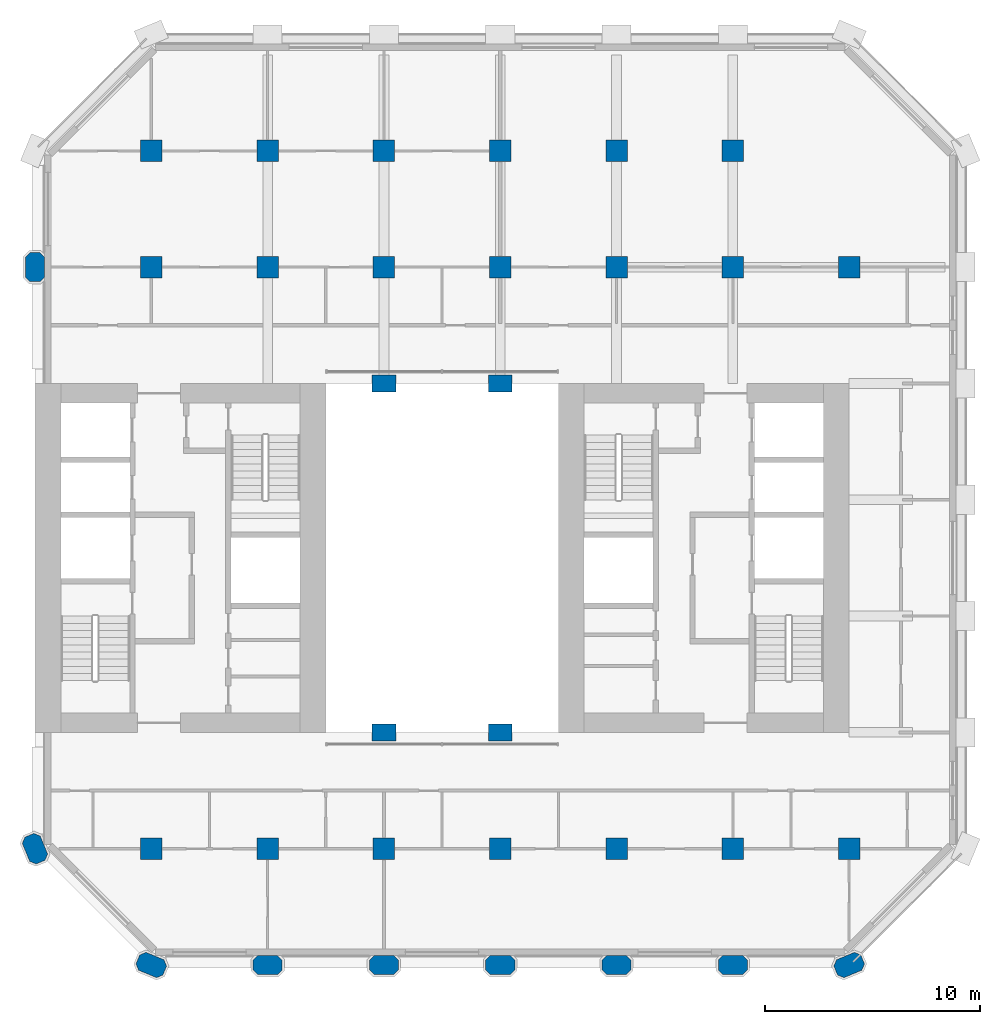
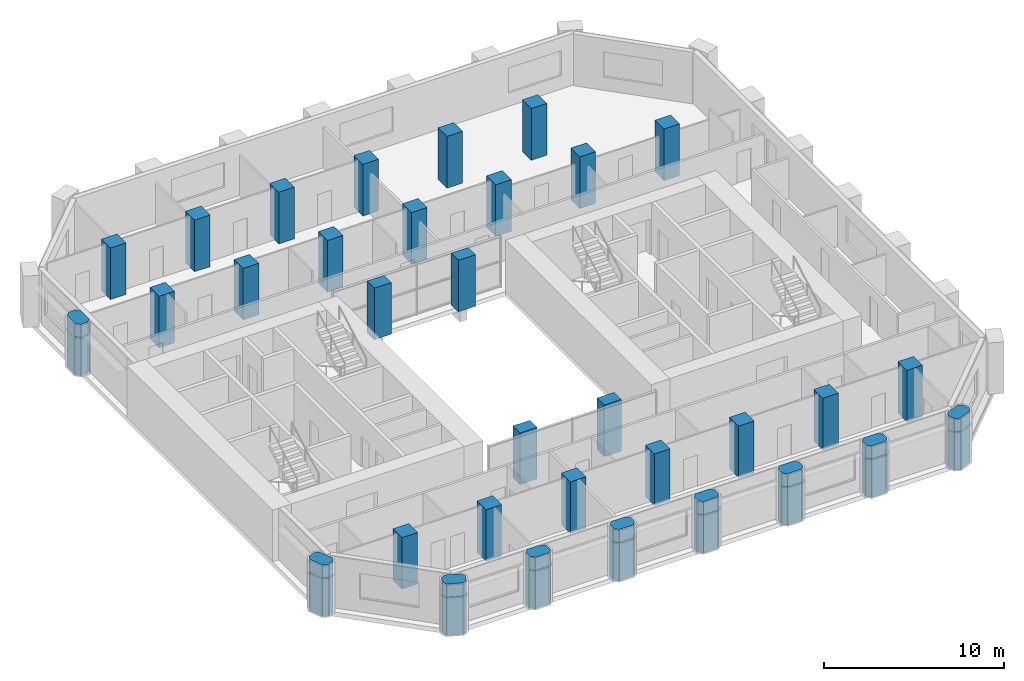
# One storey, part 1 of 10: 33 columns.
"""IFC4 building model written with IfcOpenShell, lengths in metres."""

from ifc_helpers import new_model, si_unit, direction, frame, origin, origin_2d, place, context, subcontext, project, spatial, polyline, rectangle, outline, extrude, material, material_profile, profile_set, type_object, element, save


model = new_model("IFC4")

# Units and contexts
model_context = context("Model", 3, precision=1e-05, world=origin(), true_north=direction((0.0, 1.0)))
body_context = subcontext(model_context, "Body", "Model", "MODEL_VIEW")
ifc_project = project(units=[si_unit("LENGTHUNIT", "METRE"), si_unit("AREAUNIT", "SQUARE_METRE"), si_unit("VOLUMEUNIT", "CUBIC_METRE"), si_unit("PLANEANGLEUNIT", "RADIAN"), si_unit("MASSUNIT", "GRAM", prefix="KILO")], contexts=[model_context])

# Site, building, storey
site_placement = place(None, origin())
site = spatial("IfcSite", under=ifc_project, at=site_placement, CompositionType="ELEMENT")
building_placement = place(site_placement, origin())
building = spatial("IfcBuilding", under=site, at=building_placement, Name="Tabaq Tower and Sports Hall", CompositionType="ELEMENT")
storey_placement = place(building_placement, frame((0.0, 0.0, 87.800048828125)))
storey = spatial("IfcBuildingStorey", under=building, at=storey_placement, Name="L20", CompositionType="ELEMENT", Elevation=87.800048828125)

# Columns
ifc_material_1 = material(Name="Concrete C60/75", Category="concrete")
ifc_material_profile_1 = material_profile(ifc_material_1, rectangle(XDim=1.10009765625, YDim=0.800048828125, at=origin_2d()), Name="ATRIUM COLUMN 1100x800")
ifc_profile_set_1 = profile_set([ifc_material_profile_1], Name="Concrete C60/75")
column_type_1 = type_object("IfcColumnType", Name="RC COLUMN ATRIUM COLUMN 1100x800 C60/75", PredefinedType="COLUMN", material=ifc_profile_set_1)
for number, where, z_axis, x_axis, name in (
    (1, (21.60009765625, 16.199951171875, 0.0), (0.0, 0.0, 1.0), (1.0, 0.0, 0.0), "Atrium Column 5/D L20"),
    (2, (27.0, 16.199951171875, 0.0), (0.0, 0.0, 1.0), (1.0, 0.0, 0.0), "Atrium Column 6/D L20"),
    (3, (21.60009765625, 32.39990234375, 0.0), (0.0, 0.0, 1.0), (1.0, 0.0, 0.0), "Atrium Column 5/G L20"),
    (4, (27.0, 32.39990234375, 0.0), (0.0, 0.0, 1.0), (1.0, 0.0, 0.0), "Atrium Column 6/G L20"),
):
    element("IfcColumn", number, at=place(storey_placement, frame(where, z_axis=z_axis, x_axis=x_axis)), inside=storey, type_object=column_type_1, Name=name, PredefinedType="COLUMN", context=body_context, shape_type="SweptSolid", body=[
        extrude(rectangle(XDim=1.10009765625, YDim=0.800048828125, at=origin_2d()), origin(), (0.0, 0.0, 1.0), 3.5),
    ])
ifc_material_2 = material(Name="Concrete C60/75", Category="concrete")
ifc_material_profile_2 = material_profile(ifc_material_2, rectangle(XDim=1.0, YDim=1.0, at=origin_2d()), Name="COLUMN 1000x1000")
ifc_profile_set_2 = profile_set([ifc_material_profile_2], Name="Concrete C60/75")
column_type_2 = type_object("IfcColumnType", Name="RC COLUMN COLUMN 1000x1000 C60/75", PredefinedType="COLUMN", material=ifc_profile_set_2)
for number, where, z_axis, x_axis, name in (
    (5, (10.800048828125, 10.800048828125, 0.0), (0.0, 0.0, 1.0), (1.0, 0.0, 0.0), "Column 3/C L20"),
    (6, (16.199951171875, 10.800048828125, 0.0), (0.0, 0.0, 1.0), (1.0, 0.0, 0.0), "Column 4/C L20"),
    (7, (21.60009765625, 10.800048828125, 0.0), (0.0, 0.0, 1.0), (1.0, 0.0, 0.0), "Column 5/C L20"),
    (8, (27.0, 10.800048828125, 0.0), (0.0, 0.0, 1.0), (1.0, 0.0, 0.0), "Column 6/C L20"),
    (9, (32.39990234375, 10.800048828125, 0.0), (0.0, 0.0, 1.0), (1.0, 0.0, 0.0), "Column 7/C L20"),
    (10, (37.800048828125, 10.800048828125, 0.0), (0.0, 0.0, 1.0), (1.0, 0.0, 0.0), "Column 8/C L20"),
    (11, (43.199951171875, 10.800048828125, 0.0), (0.0, 0.0, 1.0), (1.0, 0.0, 0.0), "Column 9/C L20"),
    (12, (10.800048828125, 37.800048828125, 0.0), (0.0, 0.0, 1.0), (1.0, 0.0, 0.0), "Column 3/H L20"),
    (13, (16.199951171875, 37.800048828125, 0.0), (0.0, 0.0, 1.0), (1.0, 0.0, 0.0), "Column 4/H L20"),
    (14, (21.60009765625, 37.800048828125, 0.0), (0.0, 0.0, 1.0), (1.0, 0.0, 0.0), "Column 5/H L20"),
    (15, (27.0, 37.800048828125, 0.0), (0.0, 0.0, 1.0), (1.0, 0.0, 0.0), "Column 6/H L20"),
    (16, (32.39990234375, 37.800048828125, 0.0), (0.0, 0.0, 1.0), (1.0, 0.0, 0.0), "Column 7/H L20"),
    (17, (37.800048828125, 37.800048828125, 0.0), (0.0, 0.0, 1.0), (1.0, 0.0, 0.0), "Column 8/H L20"),
    (18, (43.199951171875, 37.800048828125, 0.0), (0.0, 0.0, 1.0), (1.0, 0.0, 0.0), "Column 9/H L20"),
    (19, (10.800048828125, 43.199951171875, 0.0), (0.0, 0.0, 1.0), (1.0, 0.0, 0.0), "Column 3/I L20"),
    (20, (16.199951171875, 43.199951171875, 0.0), (0.0, 0.0, 1.0), (1.0, 0.0, 0.0), "Column 4/I L20"),
    (21, (21.60009765625, 43.199951171875, 0.0), (0.0, 0.0, 1.0), (1.0, 0.0, 0.0), "Column 5/I L20"),
    (22, (27.0, 43.199951171875, 0.0), (0.0, 0.0, 1.0), (1.0, 0.0, 0.0), "Column 6/I L20"),
    (23, (32.39990234375, 43.199951171875, 0.0), (0.0, 0.0, 1.0), (1.0, 0.0, 0.0), "Column 7/I L20"),
    (24, (37.800048828125, 43.199951171875, 0.0), (0.0, 0.0, 1.0), (1.0, 0.0, 0.0), "Column 8/I L20"),
):
    element("IfcColumn", number, at=place(storey_placement, frame(where, z_axis=z_axis, x_axis=x_axis)), inside=storey, type_object=column_type_2, Name=name, PredefinedType="COLUMN", context=body_context, shape_type="SweptSolid", body=[
        extrude(rectangle(XDim=1.0, YDim=1.0, at=origin_2d()), origin(), (0.0, 0.0, 1.0), 3.5),
    ])
ifc_material_3 = material(Name="Concrete C60/75", Category="concrete")
ifc_material_profile_3 = material_profile(ifc_material_3, outline(polyline([(-0.449951171875, -0.449951171875), (0.449951171875, -0.449951171875), (0.675048828125, -0.22509765625), (0.675048828125, 0.22509765625), (0.449951171875, 0.449951171875), (-0.449951171875, 0.449951171875), (-0.675048828125, 0.22509765625), (-0.675048828125, -0.22509765625), (-0.449951171875, -0.449951171875)])), Name="PIER 1350x900")
ifc_profile_set_3 = profile_set([ifc_material_profile_3], Name="Concrete C60/75")
column_type_3 = type_object("IfcColumnType", Name="RC COLUMN PIER 1350x900 C60/75", PredefinedType="COLUMN", material=ifc_profile_set_3)
for number, where, z_axis, x_axis, name in (
    (25, (10.800048828125, 5.39990234375, 0.0), (0.0, 0.0, 1.0), (-0.923879532511, 0.382683432365, 0.0), "Pier 3/B L20"),
    (26, (16.199951171875, 5.39990234375, 0.0), (0.0, 0.0, 1.0), (1.0, 0.0, 0.0), "Pier 4/B L20"),
    (27, (21.60009765625, 5.39990234375, 0.0), (0.0, 0.0, 1.0), (1.0, 0.0, 0.0), "Pier 5/B L20"),
    (28, (27.0, 5.39990234375, 0.0), (0.0, 0.0, 1.0), (1.0, 0.0, 0.0), "Pier 6/B L20"),
    (29, (32.39990234375, 5.39990234375, 0.0), (0.0, 0.0, 1.0), (1.0, 0.0, 0.0), "Pier 7/B L20"),
    (30, (37.800048828125, 5.39990234375, 0.0), (0.0, 0.0, 1.0), (1.0, 0.0, 0.0), "Pier 8/B L20"),
    (31, (43.199951171875, 5.39990234375, 0.0), (0.0, 0.0, 1.0), (0.923879532511, 0.382683432365, 0.0), "Pier 9/B L20"),
    (32, (5.39990234375, 10.800048828125, 0.0), (0.0, 0.0, 1.0), (-0.382683432365, 0.923879532511, 0.0), "Pier 2/C L20"),
    (33, (5.39990234375, 37.800048828125, 0.0), (0.0, 0.0, 1.0), (0.0, 1.0, 0.0), "Pier 2/H L20"),
):
    element("IfcColumn", number, at=place(storey_placement, frame(where, z_axis=z_axis, x_axis=x_axis)), inside=storey, type_object=column_type_3, Name=name, PredefinedType="COLUMN", context=body_context, shape_type="SweptSolid", body=[
        extrude(outline(polyline([(-0.449951171875, -0.449951171875), (0.449951171875, -0.449951171875), (0.675048828125, -0.22509765625), (0.675048828125, 0.22509765625), (0.449951171875, 0.449951171875), (-0.449951171875, 0.449951171875), (-0.675048828125, 0.22509765625), (-0.675048828125, -0.22509765625), (-0.449951171875, -0.449951171875)])), origin(), (0.0, 0.0, 1.0), 3.5),
    ])

save(model, "model.ifc")
